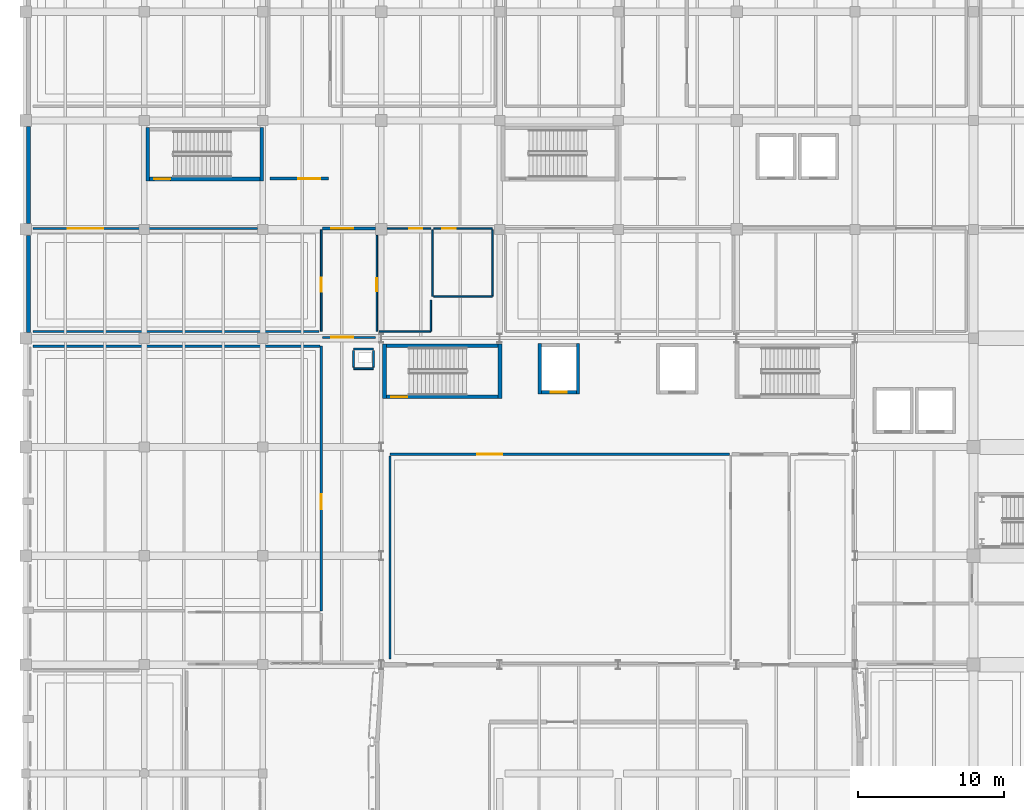
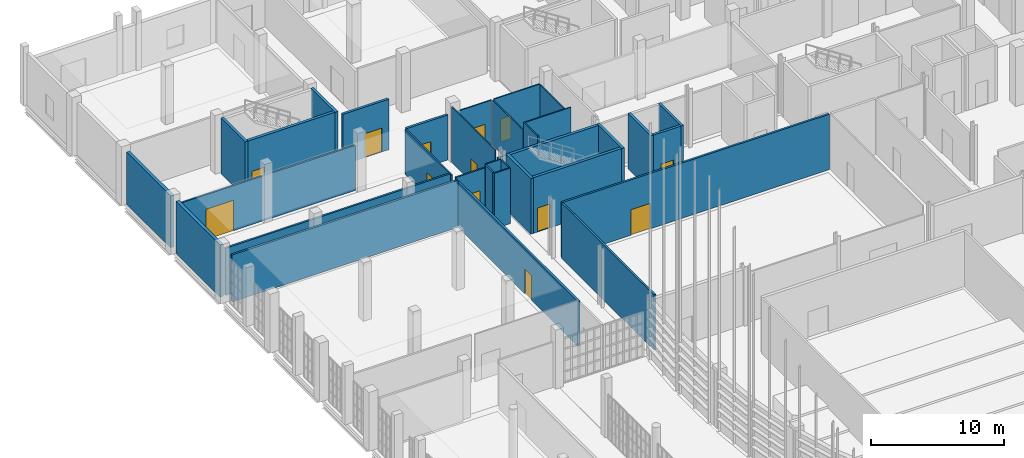
# One storey, part 352 of 372: 34 walls, 13 doors, 13 openings.
"""IFC4 building model written with IfcOpenShell, lengths in metres."""

from ifc_helpers import new_model, si_unit, direction, frame, frame_2d, origin, place, context, subcontext, project, spatial, rectangle, extrude, material, layer, layer_set, type_object, element, fill, save


model = new_model("IFC4")

# Units and contexts
model_context = context("Model", 3, precision=1e-05, world=origin(), true_north=direction((0.0, 1.0)))
body_context = subcontext(model_context, "Body", "Model", "MODEL_VIEW")
ifc_project = project(units=[si_unit("LENGTHUNIT", "METRE"), si_unit("AREAUNIT", "SQUARE_METRE"), si_unit("VOLUMEUNIT", "CUBIC_METRE"), si_unit("PLANEANGLEUNIT", "RADIAN"), si_unit("MASSUNIT", "GRAM", prefix="KILO")], contexts=[model_context])

# Site, building, storey
site_placement = place(None, origin())
site = spatial("IfcSite", under=ifc_project, at=site_placement, CompositionType="ELEMENT")
building_placement = place(site_placement, origin())
building = spatial("IfcBuilding", under=site, at=building_placement, Name="Kaelora Sail Theatre", CompositionType="ELEMENT")
storey_placement = place(building_placement, origin())
storey = spatial("IfcBuildingStorey", under=building, at=storey_placement, Name="L00", CompositionType="ELEMENT", Elevation=0.0)

# Wall, opening, door
ifc_material_1 = material(Name="Concrete C40/50", Category="concrete")
ifc_layer_1 = layer(ifc_material_1, 0.25)
ifc_layer_set_1 = layer_set([ifc_layer_1], Name="Concrete C40/50")
wall_type_1 = type_object("IfcWallType", Name="ARC-WL-CW-250", PredefinedType="SHEAR", material=ifc_layer_set_1)
wall_1_placement = place(storey_placement, frame((26.155029296875, 79.324951171875, 0.0), z_axis=(0.0, 0.0, 1.0), x_axis=(1.0, 0.0, 0.0)))
wall_1 = element("IfcWall", 1, at=wall_1_placement, inside=storey, type_object=wall_type_1, Name="Stair shaft ST-K1 wall L00-S", PredefinedType="SHEAR", context=body_context, shape_type="SweptSolid", body=[
    extrude(rectangle(XDim=7.639892578125, YDim=0.25, at=frame_2d((3.81982421875, 0.0))), origin(), (0.0, 0.0, 1.0), 5.10498046875),
])
opening_1_placement = place(wall_1_placement, frame((0.320068359375, 0.0, 0.0)))
opening_1 = element("IfcOpeningElement", 2, at=opening_1_placement, cuts=wall_1, Name="Opening FD-02", PredefinedType="OPENING", context=body_context, shape_type="SweptSolid", body=[
    extrude(rectangle(XDim=1.10009765625, YDim=2.199951171875, at=frame_2d((0.550048828125, 1.10009765625))), frame((0.0, 0.135, 0.0), z_axis=(0.0, -1.0, 0.0), x_axis=(1.0, 0.0, 0.0)), (0.0, 0.0, 1.0), 0.27),
])
ifc_material_2 = material(Name="Acoustic steel single stair/lobby fire door EI 90-C", Category="steel")
door_type_1 = type_object("IfcDoorType", Name="ARC-DR-FD-02", OperationType="NOTDEFINED", PredefinedType="DOOR", material=ifc_material_2)
door_1_placement = place(opening_1_placement, origin())
door_1 = element("IfcDoor", 3, at=door_1_placement, inside=storey, type_object=door_type_1, Name="Stair ST-K1 door (L00)", OperationType="SINGLE_SWING_RIGHT", OverallHeight=2.199951171875, OverallWidth=1.10009765625, PredefinedType="DOOR", context=body_context, shape_type="SweptSolid", body=[
    extrude(rectangle(XDim=1.10009765625, YDim=2.199951171875, at=frame_2d((0.550048828125, 1.10009765625))), frame((0.0, 0.02490234375, 0.0), z_axis=(0.0, -1.0, 0.0), x_axis=(1.0, 0.0, 0.0)), (0.0, 0.0, 1.0), 0.050048828125),
])
fill(opening_1, door_1)

# Walls
wall_2_placement = place(storey_placement, frame((26.155029296875, 82.824951171875, 0.0), z_axis=(0.0, 0.0, 1.0), x_axis=(1.0, 0.0, 0.0)))
element("IfcWall", 4, at=wall_2_placement, inside=storey, type_object=wall_type_1, Name="Stair shaft ST-K1 wall L00-N", PredefinedType="SHEAR", context=body_context, shape_type="SweptSolid", body=[
    extrude(rectangle(XDim=7.639892578125, YDim=0.25, at=frame_2d((3.81982421875, 0.0))), origin(), (0.0, 0.0, 1.0), 5.10498046875),
])
for number, where, z_axis, x_axis, name in (
    (5, (26.02490234375, 79.199951171875, 0.0), (0.0, 0.0, 1.0), (0.0, 1.0, 0.0), "Stair shaft ST-K1 wall L00-W"),
    (6, (33.925048828125, 79.199951171875, 0.0), (0.0, 0.0, 1.0), (0.0, 1.0, 0.0), "Stair shaft ST-K1 wall L00-E"),
):
    element("IfcWall", number, at=place(storey_placement, frame(where, z_axis=z_axis, x_axis=x_axis)), inside=storey, type_object=wall_type_1, Name=name, PredefinedType="SHEAR", context=body_context, shape_type="SweptSolid", body=[
        extrude(rectangle(XDim=3.75, YDim=0.25, at=frame_2d((1.875, 0.0))), origin(), (0.0, 0.0, 1.0), 5.10498046875),
    ])

# Wall, opening, door
wall_3_placement = place(storey_placement, frame((9.955078125, 94.22509765625, 0.0), z_axis=(0.0, 0.0, 1.0), x_axis=(1.0, 0.0, 0.0)))
wall_3 = element("IfcWall", 7, at=wall_3_placement, inside=storey, type_object=wall_type_1, Name="Stair shaft ST-W1 wall L00-S", PredefinedType="SHEAR", context=body_context, shape_type="SweptSolid", body=[
    extrude(rectangle(XDim=7.5400390625, YDim=0.25, at=frame_2d((3.77001953125, 0.0))), origin(), (0.0, 0.0, 1.0), 5.10498046875),
])
opening_2_placement = place(wall_3_placement, frame((0.320068359375, 0.0, 0.0)))
opening_2 = element("IfcOpeningElement", 8, at=opening_2_placement, cuts=wall_3, Name="Opening FD-02", PredefinedType="OPENING", context=body_context, shape_type="SweptSolid", body=[
    extrude(rectangle(XDim=1.10009765625, YDim=2.199951171875, at=frame_2d((0.550048828125, 1.10009765625))), frame((0.0, 0.135, 0.0), z_axis=(0.0, -1.0, 0.0), x_axis=(1.0, 0.0, 0.0)), (0.0, 0.0, 1.0), 0.27),
])
door_2_placement = place(opening_2_placement, origin())
door_2 = element("IfcDoor", 9, at=door_2_placement, inside=storey, type_object=door_type_1, Name="Stair ST-W1 door (L00)", OperationType="SINGLE_SWING_RIGHT", OverallHeight=2.199951171875, OverallWidth=1.10009765625, PredefinedType="DOOR", context=body_context, shape_type="SweptSolid", body=[
    extrude(rectangle(XDim=1.10009765625, YDim=2.199951171875, at=frame_2d((0.550048828125, 1.10009765625))), frame((0.0, 0.02490234375, 0.0), z_axis=(0.0, -1.0, 0.0), x_axis=(1.0, 0.0, 0.0)), (0.0, 0.0, 1.0), 0.050048828125),
])
fill(opening_2, door_2)

# Walls
for number, where, z_axis, x_axis, name in (
    (10, (9.824951171875, 94.10009765625, 0.0), (0.0, 0.0, 1.0), (0.0, 1.0, 0.0), "Stair shaft ST-W1 wall L00-W"),
    (11, (17.625, 94.10009765625, 0.0), (0.0, 0.0, 1.0), (0.0, 1.0, 0.0), "Stair shaft ST-W1 wall L00-E"),
):
    element("IfcWall", number, at=place(storey_placement, frame(where, z_axis=z_axis, x_axis=x_axis)), inside=storey, type_object=wall_type_1, Name=name, PredefinedType="SHEAR", context=body_context, shape_type="SweptSolid", body=[
        extrude(rectangle(XDim=3.64990234375, YDim=0.25, at=frame_2d((1.824951171875, 0.0))), origin(), (0.0, 0.0, 1.0), 5.10498046875),
    ])
ifc_material_3 = material(Name="Precast concrete C45/55", Category="concrete")
ifc_layer_2 = layer(ifc_material_3, 0.280029296875)
ifc_layer_set_2 = layer_set([ifc_layer_2], Name="Precast concrete C45/55")
wall_type_2 = type_object("IfcWallType", Name="ARC-WL-EW-280", PredefinedType="SOLIDWALL", material=ifc_layer_set_2)
for number, where, z_axis, x_axis, name in (
    (12, (1.679931640625, 83.7451171875, 0.0), (0.0, 0.0, 1.0), (0.0, 1.0, 0.0), "Stepped Wing Facade Wall WWAL-NW1-L00-S1"),
    (13, (1.679931640625, 91.18505859375, 0.0), (0.0, 0.0, 1.0), (0.0, 1.0, 0.0), "Stepped Wing Facade Wall WWAL-NW1-L00-S2"),
):
    element("IfcWall", number, at=place(storey_placement, frame(where, z_axis=z_axis, x_axis=x_axis)), inside=storey, type_object=wall_type_2, Name=name, PredefinedType="SOLIDWALL", context=body_context, shape_type="SweptSolid", body=[
        extrude(rectangle(XDim=6.6298828125, YDim=0.280029296875, at=frame_2d((3.31494140625, 0.0))), origin(), (0.0, 0.0, 1.0), 4.787109375),
    ])

# Wall, opening, door
ifc_material_4 = material(Name="Sanitary moisture-resistant partition 100 mm", Category="gypsum")
ifc_layer_3 = layer(ifc_material_4, 0.10009765625)
ifc_layer_set_3 = layer_set([ifc_layer_3], Name="Sanitary moisture-resistant partition 100 mm")
wall_type_3 = type_object("IfcWallType", Name="ARC-WL-PT-100", PredefinedType="PARTITIONING", material=ifc_layer_set_3)
wall_4_placement = place(storey_placement, frame((25.5, 83.800048828125, 0.0), z_axis=(0.0, 0.0, 1.0), x_axis=(0.0, 1.0, 0.0)))
wall_4 = element("IfcWall", 14, at=wall_4_placement, inside=storey, type_object=wall_type_3, Name="Interior acoustic partition L00-COR-NLINKW/L00-WC-BOH", PredefinedType="PARTITIONING", context=body_context, shape_type="SweptSolid", body=[
    extrude(rectangle(XDim=6.574951171875, YDim=0.10009765625, at=frame_2d((3.28759765625, 0.0))), origin(), (0.0, 0.0, 1.0), 5.0849609375),
])
opening_3_placement = place(wall_4_placement, frame((2.739013671875, 0.0, 0.0)))
opening_3 = element("IfcOpeningElement", 15, at=opening_3_placement, cuts=wall_4, Name="Opening ID-03", PredefinedType="OPENING", context=body_context, shape_type="SweptSolid", body=[
    extrude(rectangle(XDim=0.89990234375, YDim=2.10009765625, at=frame_2d((0.449951171875, 1.050048828125))), frame((0.0, 0.060049, 0.0), z_axis=(0.0, -1.0, 0.0), x_axis=(1.0, 0.0, 0.0)), (0.0, 0.0, 1.0), 0.120098),
])
ifc_material_5 = material(Name="Accessible sanitary laminate door", Category="timber")
door_type_2 = type_object("IfcDoorType", Name="ARC-DR-ID-03", OperationType="NOTDEFINED", PredefinedType="DOOR", material=ifc_material_5)
door_3_placement = place(opening_3_placement, origin())
door_3 = element("IfcDoor", 16, at=door_3_placement, inside=storey, type_object=door_type_2, Name="Interior door L00-COR-NLINKW to L00-WC-BOH", OperationType="SINGLE_SWING_RIGHT", OverallHeight=2.10009765625, OverallWidth=0.89990234375, PredefinedType="DOOR", context=body_context, shape_type="SweptSolid", body=[
    extrude(rectangle(XDim=0.89990234375, YDim=2.10009765625, at=frame_2d((0.449951171875, 1.050048828125))), frame((0.0, 0.02490234375, 0.0), z_axis=(0.0, -1.0, 0.0), x_axis=(1.0, 0.0, 0.0)), (0.0, 0.0, 1.0), 0.050048828125),
])
fill(opening_3, door_3)

wall_5_placement = place(storey_placement, frame((26.205078125, 90.85009765625, 0.0), z_axis=(0.0, 0.0, 1.0), x_axis=(1.0, 0.0, 0.0)))
wall_5 = element("IfcWall", 17, at=wall_5_placement, inside=storey, type_object=wall_type_3, Name="Interior acoustic partition L00-COR-BOH/L00-WC-BOH", PredefinedType="PARTITIONING", context=body_context, shape_type="SweptSolid", body=[
    extrude(rectangle(XDim=2.994873046875, YDim=0.10009765625, at=frame_2d((1.49755859375, 0.0))), origin(), (0.0, 0.0, 1.0), 4.136962890625),
])
opening_4_placement = place(wall_5_placement, frame((1.514892578125, 0.0, 0.0)))
opening_4 = element("IfcOpeningElement", 18, at=opening_4_placement, cuts=wall_5, Name="Opening ID-03", PredefinedType="OPENING", context=body_context, shape_type="SweptSolid", body=[
    extrude(rectangle(XDim=0.89990234375, YDim=2.10009765625, at=frame_2d((0.449951171875, 1.050048828125))), frame((0.0, 0.060049, 0.0), z_axis=(0.0, -1.0, 0.0), x_axis=(1.0, 0.0, 0.0)), (0.0, 0.0, 1.0), 0.120098),
])
door_4_placement = place(opening_4_placement, origin())
door_4 = element("IfcDoor", 19, at=door_4_placement, inside=storey, type_object=door_type_2, Name="Interior door L00-COR-BOH to L00-WC-BOH", OperationType="SINGLE_SWING_LEFT", OverallHeight=2.10009765625, OverallWidth=0.89990234375, PredefinedType="DOOR", context=body_context, shape_type="SweptSolid", body=[
    extrude(rectangle(XDim=0.89990234375, YDim=2.10009765625, at=frame_2d((0.449951171875, 1.050048828125))), frame((0.0, 0.02490234375, 0.0), z_axis=(0.0, -1.0, 0.0), x_axis=(1.0, 0.0, 0.0)), (0.0, 0.0, 1.0), 0.050048828125),
])
fill(opening_4, door_4)

wall_6_placement = place(storey_placement, frame((29.39990234375, 90.85009765625, 0.0), z_axis=(0.0, 0.0, 1.0), x_axis=(1.0, 0.0, 0.0)))
wall_6 = element("IfcWall", 20, at=wall_6_placement, inside=storey, type_object=wall_type_3, Name="Interior acoustic partition L00-COR-BOH/L00-WC-BOHACC", PredefinedType="PARTITIONING", context=body_context, shape_type="SweptSolid", body=[
    extrude(rectangle(XDim=4.0, YDim=0.10009765625, at=frame_2d((2.0, 0.0))), origin(), (0.0, 0.0, 1.0), 4.136962890625),
])
opening_5_placement = place(wall_6_placement, frame((0.580078125, 0.0, 0.0)))
opening_5 = element("IfcOpeningElement", 21, at=opening_5_placement, cuts=wall_6, Name="Opening ID-03", PredefinedType="OPENING", context=body_context, shape_type="SweptSolid", body=[
    extrude(rectangle(XDim=0.89990234375, YDim=2.10009765625, at=frame_2d((0.449951171875, 1.050048828125))), frame((0.0, 0.060049, 0.0), z_axis=(0.0, -1.0, 0.0), x_axis=(1.0, 0.0, 0.0)), (0.0, 0.0, 1.0), 0.120098),
])
door_5_placement = place(opening_5_placement, origin())
door_5 = element("IfcDoor", 22, at=door_5_placement, inside=storey, type_object=door_type_2, Name="Interior door L00-COR-BOH to L00-WC-BOHACC", OperationType="SINGLE_SWING_LEFT", OverallHeight=2.10009765625, OverallWidth=0.89990234375, PredefinedType="DOOR", context=body_context, shape_type="SweptSolid", body=[
    extrude(rectangle(XDim=0.89990234375, YDim=2.10009765625, at=frame_2d((0.449951171875, 1.050048828125))), frame((0.0, 0.02490234375, 0.0), z_axis=(0.0, -1.0, 0.0), x_axis=(1.0, 0.0, 0.0)), (0.0, 0.0, 1.0), 0.050048828125),
])
fill(opening_5, door_5)

# Walls
wall_7_placement = place(storey_placement, frame((29.300048828125, 86.199951171875, 0.0), z_axis=(0.0, 0.0, 1.0), x_axis=(0.0, 1.0, 0.0)))
element("IfcWall", 23, at=wall_7_placement, inside=storey, type_object=wall_type_3, Name="Interior acoustic partition L00-WC-BOH/L00-WC-BOHACC", PredefinedType="PARTITIONING", context=body_context, shape_type="SweptSolid", body=[
    extrude(rectangle(XDim=4.550048828125, YDim=0.10009765625, at=frame_2d((2.27490234375, 0.0))), origin(), (0.0, 0.0, 1.0), 4.136962890625),
])
wall_8_placement = place(storey_placement, frame((25.64990234375, 83.800048828125, 0.0), z_axis=(0.0, 0.0, 1.0), x_axis=(1.0, 0.0, 0.0)))
element("IfcWall", 24, at=wall_8_placement, inside=storey, type_object=wall_type_3, Name="Room enclosure wall L00-WC-BOH-S1", PredefinedType="PARTITIONING", context=body_context, shape_type="SweptSolid", body=[
    extrude(rectangle(XDim=3.550048828125, YDim=0.10009765625, at=frame_2d((1.77490234375, 0.0))), origin(), (0.0, 0.0, 1.0), 4.3369140625),
])
wall_9_placement = place(storey_placement, frame((29.199951171875, 83.800048828125, 0.0), z_axis=(0.0, 0.0, 1.0), x_axis=(0.0, 1.0, 0.0)))
element("IfcWall", 25, at=wall_9_placement, inside=storey, type_object=wall_type_3, Name="Room enclosure wall L00-WC-BOH-E1", PredefinedType="PARTITIONING", context=body_context, shape_type="SweptSolid", body=[
    extrude(rectangle(XDim=2.14990234375, YDim=0.10009765625, at=frame_2d((1.074951171875, 0.0))), origin(), (0.0, 0.0, 1.0), 5.0849609375),
])
wall_10_placement = place(storey_placement, frame((29.39990234375, 86.199951171875, 0.0), z_axis=(0.0, 0.0, 1.0), x_axis=(1.0, 0.0, 0.0)))
element("IfcWall", 26, at=wall_10_placement, inside=storey, type_object=wall_type_3, Name="Room enclosure wall L00-WC-BOHACC-S1", PredefinedType="PARTITIONING", context=body_context, shape_type="SweptSolid", body=[
    extrude(rectangle(XDim=4.0, YDim=0.10009765625, at=frame_2d((2.0, 0.0))), origin(), (0.0, 0.0, 1.0), 4.81689453125),
])
wall_11_placement = place(storey_placement, frame((33.39990234375, 86.199951171875, 0.0), z_axis=(0.0, 0.0, 1.0), x_axis=(0.0, 1.0, 0.0)))
element("IfcWall", 27, at=wall_11_placement, inside=storey, type_object=wall_type_3, Name="Room enclosure wall L00-WC-BOHACC-E1", PredefinedType="PARTITIONING", context=body_context, shape_type="SweptSolid", body=[
    extrude(rectangle(XDim=4.550048828125, YDim=0.10009765625, at=frame_2d((2.27490234375, 0.0))), origin(), (0.0, 0.0, 1.0), 4.136962890625),
])
ifc_material_6 = material(Name="Standard metal-stud partition 120 mm", Category="gypsum")
ifc_layer_4 = layer(ifc_material_6, 0.1201171875)
ifc_layer_set_4 = layer_set([ifc_layer_4], Name="Standard metal-stud partition 120 mm")
wall_type_4 = type_object("IfcWallType", Name="ARC-WL-PT-120", PredefinedType="PARTITIONING", material=ifc_layer_set_4)
for number, where, z_axis, x_axis, name in (
    (28, (23.905029296875, 81.2451171875, 0.0), (0.0, 0.0, 1.0), (1.0, 0.0, 0.0), "MEP riser shaft wall FW1-L00-S"),
    (29, (23.905029296875, 82.60498046875, 0.0), (0.0, 0.0, 1.0), (1.0, 0.0, 0.0), "MEP riser shaft wall FW1-L00-N"),
):
    element("IfcWall", number, at=place(storey_placement, frame(where, z_axis=z_axis, x_axis=x_axis)), inside=storey, type_object=wall_type_4, Name=name, PredefinedType="PARTITIONING", context=body_context, shape_type="SweptSolid", body=[
        extrude(rectangle(XDim=1.35986328125, YDim=0.1201171875, at=frame_2d((0.679931640625, 0.0))), origin(), (0.0, 0.0, 1.0), 5.0849609375),
    ])
for number, where, z_axis, x_axis, name in (
    (30, (23.905029296875, 81.364990234375, 0.0), (0.0, 0.0, 1.0), (0.0, 1.0, 0.0), "MEP riser shaft wall FW1-L00-W"),
    (31, (25.264892578125, 81.364990234375, 0.0), (0.0, 0.0, 1.0), (0.0, 1.0, 0.0), "MEP riser shaft wall FW1-L00-E"),
):
    element("IfcWall", number, at=place(storey_placement, frame(where, z_axis=z_axis, x_axis=x_axis)), inside=storey, type_object=wall_type_4, Name=name, PredefinedType="PARTITIONING", context=body_context, shape_type="SweptSolid", body=[
        extrude(rectangle(XDim=1.1201171875, YDim=0.1201171875, at=frame_2d((0.56005859375, 0.0))), origin(), (0.0, 0.0, 1.0), 5.0849609375),
    ])

# Wall, opening, door
wall_12_placement = place(storey_placement, frame((21.699951171875, 83.800048828125, 0.0), z_axis=(0.0, 0.0, 1.0), x_axis=(0.0, 1.0, 0.0)))
wall_12 = element("IfcWall", 32, at=wall_12_placement, inside=storey, type_object=wall_type_4, Name="Interior acoustic partition L00-COR-NLINKW/L00-GREEN", PredefinedType="PARTITIONING", context=body_context, shape_type="SweptSolid", body=[
    extrude(rectangle(XDim=6.949951171875, YDim=0.1201171875, at=frame_2d((3.47509765625, 0.0))), origin(), (0.0, 0.0, 1.0), 4.136962890625),
])
opening_6_placement = place(wall_12_placement, frame((2.7099609375, 0.0, 0.0)))
opening_6 = element("IfcOpeningElement", 33, at=opening_6_placement, cuts=wall_12, Name="Opening ID-02", PredefinedType="OPENING", context=body_context, shape_type="SweptSolid", body=[
    extrude(rectangle(XDim=0.949951171875, YDim=2.14990234375, at=frame_2d((0.47509765625, 1.074951171875))), frame((0.0, 0.070059, 0.0), z_axis=(0.0, -1.0, 0.0), x_axis=(1.0, 0.0, 0.0)), (0.0, 0.0, 1.0), 0.140117),
])
ifc_material_7 = material(Name="Timber dressing and office single door", Category="wood")
door_type_3 = type_object("IfcDoorType", Name="ARC-DR-ID-02", OperationType="NOTDEFINED", PredefinedType="DOOR", material=ifc_material_7)
door_6_placement = place(opening_6_placement, origin())
door_6 = element("IfcDoor", 34, at=door_6_placement, inside=storey, type_object=door_type_3, Name="Interior door L00-COR-NLINKW to L00-GREEN", OperationType="SINGLE_SWING_LEFT", OverallHeight=2.14990234375, OverallWidth=0.949951171875, PredefinedType="DOOR", context=body_context, shape_type="SweptSolid", body=[
    extrude(rectangle(XDim=0.949951171875, YDim=2.14990234375, at=frame_2d((0.47509765625, 1.074951171875))), frame((0.0, 0.02490234375, 0.0), z_axis=(0.0, -1.0, 0.0), x_axis=(1.0, 0.0, 0.0)), (0.0, 0.0, 1.0), 0.050048828125),
])
fill(opening_6, door_6)

ifc_material_8 = material(Name="Dressing room acoustic partition 130 mm", Category="gypsum")
ifc_layer_5 = layer(ifc_material_8, 0.1298828125)
ifc_layer_set_5 = layer_set([ifc_layer_5], Name="Dressing room acoustic partition 130 mm")
wall_type_5 = type_object("IfcWallType", Name="ARC-WL-PT-130", PredefinedType="PARTITIONING", material=ifc_layer_set_5)
wall_13_placement = place(storey_placement, frame((21.800048828125, 83.39990234375, 0.0), z_axis=(0.0, 0.0, 1.0), x_axis=(1.0, 0.0, 0.0)))
wall_13 = element("IfcWall", 35, at=wall_13_placement, inside=storey, type_object=wall_type_5, Name="Interior acoustic partition L00-COR-WEST/L00-COR-NLINKW", PredefinedType="PARTITIONING", context=body_context, shape_type="SweptSolid", body=[
    extrude(rectangle(XDim=3.599853515625, YDim=0.1298828125, at=frame_2d((1.7998046875, 0.0))), origin(), (0.0, 0.0, 1.0), 4.136962890625),
])
opening_7_placement = place(wall_13_placement, frame((0.580078125, 0.0, 0.0)))
opening_7 = element("IfcOpeningElement", 36, at=opening_7_placement, cuts=wall_13, Name="Opening FD-01", PredefinedType="OPENING", context=body_context, shape_type="SweptSolid", body=[
    extrude(rectangle(XDim=1.5, YDim=2.199951171875, at=frame_2d((0.75, 1.10009765625))), frame((0.0, 0.074941, 0.0), z_axis=(0.0, -1.0, 0.0), x_axis=(1.0, 0.0, 0.0)), (0.0, 0.0, 1.0), 0.149883),
])
ifc_material_9 = material(Name="Acoustic steel double fire door EI 90-C", Category="steel")
door_type_4 = type_object("IfcDoorType", Name="ARC-DR-FD-01", OperationType="NOTDEFINED", PredefinedType="DOOR", material=ifc_material_9)
door_7_placement = place(opening_7_placement, origin())
door_7 = element("IfcDoor", 37, at=door_7_placement, inside=storey, type_object=door_type_4, Name="Interior door L00-COR-WEST to L00-COR-NLINKW", OperationType="DOUBLE_DOOR_SINGLE_SWING", OverallHeight=2.199951171875, OverallWidth=1.5, PredefinedType="DOOR", context=body_context, shape_type="SweptSolid", body=[
    extrude(rectangle(XDim=1.5, YDim=2.199951171875, at=frame_2d((0.75, 1.10009765625))), frame((0.0, 0.02490234375, 0.0), z_axis=(0.0, -1.0, 0.0), x_axis=(1.0, 0.0, 0.0)), (0.0, 0.0, 1.0), 0.050048828125),
])
fill(opening_7, door_7)

ifc_material_10 = material(Name="Fire-rated stud partition 140 mm", Category="gypsum")
ifc_layer_6 = layer(ifc_material_10, 0.139892578125)
ifc_layer_set_6 = layer_set([ifc_layer_6], Name="Fire-rated stud partition 140 mm")
wall_type_6 = type_object("IfcWallType", Name="ARC-WL-PT-140", PredefinedType="PARTITIONING", material=ifc_layer_set_6)
wall_14_placement = place(storey_placement, frame((2.0, 90.85009765625, 0.0), z_axis=(0.0, 0.0, 1.0), x_axis=(1.0, 0.0, 0.0)))
wall_14 = element("IfcWall", 38, at=wall_14_placement, inside=storey, type_object=wall_type_6, Name="Interior acoustic partition L00-COR-BOH/L00-GREEN", PredefinedType="PARTITIONING", context=body_context, shape_type="SweptSolid", body=[
    extrude(rectangle(XDim=15.344970703125, YDim=0.139892578125, at=frame_2d((7.67236328125, 0.0))), origin(), (0.0, 0.0, 1.0), 4.136962890625),
])
opening_8_placement = place(wall_14_placement, frame((2.3779296875, 0.0, 0.0)))
opening_8 = element("IfcOpeningElement", 39, at=opening_8_placement, cuts=wall_14, Name="Opening ID-05", PredefinedType="OPENING", context=body_context, shape_type="SweptSolid", body=[
    extrude(rectangle(XDim=2.39990234375, YDim=2.800048828125, at=frame_2d((1.199951171875, 1.39990234375))), frame((0.0, 0.079824, 0.0), z_axis=(0.0, -1.0, 0.0), x_axis=(1.0, 0.0, 0.0)), (0.0, 0.0, 1.0), 0.159893),
])
ifc_material_11 = material(Name="Scenery workshop oversize acoustic double door", Category="steel")
door_type_5 = type_object("IfcDoorType", Name="ARC-DR-ID-05", OperationType="NOTDEFINED", PredefinedType="DOOR", material=ifc_material_11)
door_8_placement = place(opening_8_placement, origin())
door_8 = element("IfcDoor", 40, at=door_8_placement, inside=storey, type_object=door_type_5, Name="Interior door L00-COR-BOH to L00-GREEN", OperationType="DOUBLE_DOOR_SINGLE_SWING", OverallHeight=2.800048828125, OverallWidth=2.39990234375, PredefinedType="DOOR", context=body_context, shape_type="SweptSolid", body=[
    extrude(rectangle(XDim=2.39990234375, YDim=2.800048828125, at=frame_2d((1.199951171875, 1.39990234375))), frame((0.0, 0.02490234375, 0.0), z_axis=(0.0, -1.0, 0.0), x_axis=(1.0, 0.0, 0.0)), (0.0, 0.0, 1.0), 0.050048828125),
])
fill(opening_8, door_8)

# Walls
ifc_material_12 = material(Name="Acoustic metal-stud plasterboard 160 mm", Category="gypsum")
ifc_layer_7 = layer(ifc_material_12, 0.159912109375)
ifc_layer_set_7 = layer_set([ifc_layer_7], Name="Acoustic metal-stud plasterboard 160 mm")
wall_type_7 = type_object("IfcWallType", Name="ARC-WL-PT-160", PredefinedType="PARTITIONING", material=ifc_layer_set_7)
wall_15_placement = place(storey_placement, frame((26.39990234375, 61.39990234375, 0.0), z_axis=(0.0, 0.0, 1.0), x_axis=(0.0, 1.0, 0.0)))
element("IfcWall", 41, at=wall_15_placement, inside=storey, type_object=wall_type_7, Name="Room enclosure wall L00-STAGE-MAIN-W1", PredefinedType="PARTITIONING", context=body_context, shape_type="SweptSolid", body=[
    extrude(rectangle(XDim=13.900146484375, YDim=0.159912109375, at=frame_2d((6.9501953125, 0.0))), origin(), (0.0, 0.0, 1.0), 5.0849609375),
])
wall_16_placement = place(storey_placement, frame((2.0, 82.800048828125, 0.0), z_axis=(0.0, 0.0, 1.0), x_axis=(1.0, 0.0, 0.0)))
element("IfcWall", 42, at=wall_16_placement, inside=storey, type_object=wall_type_7, Name="Room enclosure wall L00-CAFE-WEST-N1", PredefinedType="PARTITIONING", context=body_context, shape_type="SweptSolid", body=[
    extrude(rectangle(XDim=19.60009765625, YDim=0.159912109375, at=frame_2d((9.800048828125, 0.0))), origin(), (0.0, 0.0, 1.0), 4.3369140625),
])
wall_17_placement = place(storey_placement, frame((2.0, 83.800048828125, 0.0), z_axis=(0.0, 0.0, 1.0), x_axis=(1.0, 0.0, 0.0)))
element("IfcWall", 43, at=wall_17_placement, inside=storey, type_object=wall_type_7, Name="Room enclosure wall L00-GREEN-S1", PredefinedType="PARTITIONING", context=body_context, shape_type="SweptSolid", body=[
    extrude(rectangle(XDim=19.550048828125, YDim=0.159912109375, at=frame_2d((9.77490234375, 0.0))), origin(), (0.0, 0.0, 1.0), 4.3369140625),
])

# Wall, opening, door
ifc_material_13 = material(Name="Workshop acoustic stud partition 170 mm", Category="gypsum")
ifc_layer_8 = layer(ifc_material_13, 0.169921875)
ifc_layer_set_8 = layer_set([ifc_layer_8], Name="Workshop acoustic stud partition 170 mm")
wall_type_8 = type_object("IfcWallType", Name="ARC-WL-PT-170", PredefinedType="PARTITIONING", material=ifc_layer_set_8)
wall_18_placement = place(storey_placement, frame((49.60009765625, 75.39990234375, 0.0), z_axis=(0.0, 0.0, 1.0), x_axis=(-1.0, 0.0, 0.0)))
wall_18 = element("IfcWall", 44, at=wall_18_placement, inside=storey, type_object=wall_type_8, Name="Interior acoustic partition L00-STAGE-MAIN/L00-COR-FLY", PredefinedType="PARTITIONING", context=body_context, shape_type="SweptSolid", body=[
    extrude(rectangle(XDim=23.2001953125, YDim=0.169921875, at=frame_2d((11.60009765625, 0.0))), origin(), (0.0, 0.0, 1.0), 5.0849609375),
])
opening_9_placement = place(wall_18_placement, frame((15.535888671875, 0.0, 0.0)))
opening_9 = element("IfcOpeningElement", 45, at=opening_9_placement, cuts=wall_18, Name="Opening ID-09", PredefinedType="OPENING", context=body_context, shape_type="SweptSolid", body=[
    extrude(rectangle(XDim=1.699951171875, YDim=2.35009765625, at=frame_2d((0.85009765625, 1.175048828125))), frame((0.0, 0.094961, 0.0), z_axis=(0.0, -1.0, 0.0), x_axis=(1.0, 0.0, 0.0)), (0.0, 0.0, 1.0), 0.189922),
])
ifc_material_14 = material(Name="Ballet studio acoustic double door", Category="steel")
door_type_6 = type_object("IfcDoorType", Name="ARC-DR-ID-09", OperationType="NOTDEFINED", PredefinedType="DOOR", material=ifc_material_14)
door_9_placement = place(opening_9_placement, origin())
door_9 = element("IfcDoor", 46, at=door_9_placement, inside=storey, type_object=door_type_6, Name="Interior door L00-STAGE-MAIN to L00-COR-FLY", OperationType="DOUBLE_DOOR_SINGLE_SWING", OverallHeight=2.35009765625, OverallWidth=1.699951171875, PredefinedType="DOOR", context=body_context, shape_type="SweptSolid", body=[
    extrude(rectangle(XDim=1.699951171875, YDim=2.35009765625, at=frame_2d((0.85009765625, 1.175048828125))), frame((0.0, 0.02490234375, 0.0), z_axis=(0.0, -1.0, 0.0), x_axis=(1.0, 0.0, 0.0)), (0.0, 0.0, 1.0), 0.050048828125),
])
fill(opening_9, door_9)

ifc_material_15 = material(Name="Rehearsal double-stud partition 185 mm", Category="gypsum")
ifc_layer_9 = layer(ifc_material_15, 0.18505859375)
ifc_layer_set_9 = layer_set([ifc_layer_9], Name="Rehearsal double-stud partition 185 mm")
wall_type_9 = type_object("IfcWallType", Name="ARC-WL-PT-185", PredefinedType="PARTITIONING", material=ifc_layer_set_9)
wall_19_placement = place(storey_placement, frame((21.699951171875, 64.699951171875, 0.0), z_axis=(0.0, 0.0, 1.0), x_axis=(0.0, 1.0, 0.0)))
wall_19 = element("IfcWall", 47, at=wall_19_placement, inside=storey, type_object=wall_type_9, Name="Interior acoustic partition L00-CAFE-WEST/L00-COR-WEST", PredefinedType="PARTITIONING", context=body_context, shape_type="SweptSolid", body=[
    extrude(rectangle(XDim=18.10009765625, YDim=0.18505859375, at=frame_2d((9.050048828125, 0.0))), origin(), (0.0, 0.0, 1.0), 4.136962890625),
])
opening_10_placement = place(wall_19_placement, frame((6.93603515625, 0.0, 0.0)))
opening_10 = element("IfcOpeningElement", 48, at=opening_10_placement, cuts=wall_19, Name="Opening ID-06", PredefinedType="OPENING", context=body_context, shape_type="SweptSolid", body=[
    extrude(rectangle(XDim=1.050048828125, YDim=2.25, at=frame_2d((0.52490234375, 1.125))), frame((0.0, 0.102529, 0.0), z_axis=(0.0, -1.0, 0.0), x_axis=(1.0, 0.0, 0.0)), (0.0, 0.0, 1.0), 0.205059),
])
ifc_material_16 = material(Name="Soloist dressing acoustic timber door", Category="wood")
door_type_7 = type_object("IfcDoorType", Name="ARC-DR-ID-06", OperationType="NOTDEFINED", PredefinedType="DOOR", material=ifc_material_16)
door_10_placement = place(opening_10_placement, origin())
door_10 = element("IfcDoor", 49, at=door_10_placement, inside=storey, type_object=door_type_7, Name="Interior door L00-CAFE-WEST to L00-COR-WEST", OperationType="SINGLE_SWING_LEFT", OverallHeight=2.25, OverallWidth=1.050048828125, PredefinedType="DOOR", context=body_context, shape_type="SweptSolid", body=[
    extrude(rectangle(XDim=1.050048828125, YDim=2.25, at=frame_2d((0.52490234375, 1.125))), frame((0.0, 0.02490234375, 0.0), z_axis=(0.0, -1.0, 0.0), x_axis=(1.0, 0.0, 0.0)), (0.0, 0.0, 1.0), 0.050048828125),
])
fill(opening_10, door_10)

ifc_material_17 = material(Name="Acoustic double-stud plasterboard 200 mm", Category="gypsum")
ifc_layer_10 = layer(ifc_material_17, 0.199951171875)
ifc_layer_set_10 = layer_set([ifc_layer_10], Name="Acoustic double-stud plasterboard 200 mm")
wall_type_10 = type_object("IfcWallType", Name="ARC-WL-PT-200", PredefinedType="PARTITIONING", material=ifc_layer_set_10)
wall_20_placement = place(storey_placement, frame((21.800048828125, 90.85009765625, 0.0), z_axis=(0.0, 0.0, 1.0), x_axis=(1.0, 0.0, 0.0)))
wall_20 = element("IfcWall", 50, at=wall_20_placement, inside=storey, type_object=wall_type_10, Name="Interior acoustic partition L00-COR-NLINKW/L00-COR-BOH", PredefinedType="PARTITIONING", context=body_context, shape_type="SweptSolid", body=[
    extrude(rectangle(XDim=3.594970703125, YDim=0.199951171875, at=frame_2d((1.79736328125, 0.0))), origin(), (0.0, 0.0, 1.0), 4.136962890625),
])
opening_11_placement = place(wall_20_placement, frame((0.580078125, 0.0, 0.0)))
opening_11 = element("IfcOpeningElement", 51, at=opening_11_placement, cuts=wall_20, Name="Opening FD-01", PredefinedType="OPENING", context=body_context, shape_type="SweptSolid", body=[
    extrude(rectangle(XDim=1.5, YDim=2.199951171875, at=frame_2d((0.75, 1.10009765625))), frame((0.0, 0.110098, 0.0), z_axis=(0.0, -1.0, 0.0), x_axis=(1.0, 0.0, 0.0)), (0.0, 0.0, 1.0), 0.219951),
])
door_11_placement = place(opening_11_placement, origin())
door_11 = element("IfcDoor", 52, at=door_11_placement, inside=storey, type_object=door_type_4, Name="Interior door L00-COR-NLINKW to L00-COR-BOH", OperationType="DOUBLE_DOOR_SINGLE_SWING", OverallHeight=2.199951171875, OverallWidth=1.5, PredefinedType="DOOR", context=body_context, shape_type="SweptSolid", body=[
    extrude(rectangle(XDim=1.5, YDim=2.199951171875, at=frame_2d((0.75, 1.10009765625))), frame((0.0, 0.02490234375, 0.0), z_axis=(0.0, -1.0, 0.0), x_axis=(1.0, 0.0, 0.0)), (0.0, 0.0, 1.0), 0.050048828125),
])
fill(opening_11, door_11)

ifc_material_18 = material(Name="Studio box-in-box acoustic partition 215 mm", Category="gypsum")
ifc_layer_11 = layer(ifc_material_18, 0.215087890625)
ifc_layer_set_11 = layer_set([ifc_layer_11], Name="Studio box-in-box acoustic partition 215 mm")
wall_type_11 = type_object("IfcWallType", Name="ARC-WL-PT-215", PredefinedType="PARTITIONING", material=ifc_layer_set_11)
wall_21_placement = place(storey_placement, frame((18.199951171875, 94.25, 0.0), z_axis=(0.0, 0.0, 1.0), x_axis=(1.0, 0.0, 0.0)))
wall_21 = element("IfcWall", 53, at=wall_21_placement, inside=storey, type_object=wall_type_11, Name="Interior acoustic partition L00-COR-BOH/L00-COR-SP1", PredefinedType="PARTITIONING", context=body_context, shape_type="SweptSolid", body=[
    extrude(rectangle(XDim=4.0, YDim=0.215087890625, at=frame_2d((2.0, 0.0))), origin(), (0.0, 0.0, 1.0), 4.636962890625),
])
opening_12_placement = place(wall_21_placement, frame((1.919921875, 0.0, 0.0)))
opening_12 = element("IfcOpeningElement", 54, at=opening_12_placement, cuts=wall_21, Name="Opening FD-01", PredefinedType="OPENING", context=body_context, shape_type="SweptSolid", body=[
    extrude(rectangle(XDim=1.5, YDim=2.199951171875, at=frame_2d((0.75, 1.10009765625))), frame((0.0, 0.117422, 0.0), z_axis=(0.0, -1.0, 0.0), x_axis=(1.0, 0.0, 0.0)), (0.0, 0.0, 1.0), 0.235088),
])
door_12_placement = place(opening_12_placement, origin())
door_12 = element("IfcDoor", 55, at=door_12_placement, inside=storey, type_object=door_type_4, Name="Interior door L00-COR-BOH to L00-COR-SP1", OperationType="DOUBLE_DOOR_SINGLE_SWING", OverallHeight=2.199951171875, OverallWidth=1.5, PredefinedType="DOOR", context=body_context, shape_type="SweptSolid", body=[
    extrude(rectangle(XDim=1.5, YDim=2.199951171875, at=frame_2d((0.75, 1.10009765625))), frame((0.0, 0.02490234375, 0.0), z_axis=(0.0, -1.0, 0.0), x_axis=(1.0, 0.0, 0.0)), (0.0, 0.0, 1.0), 0.050048828125),
])
fill(opening_12, door_12)

ifc_material_19 = material(Name="Concrete C40/50", Category="concrete")
ifc_layer_12 = layer(ifc_material_19, 0.219970703125)
ifc_layer_set_12 = layer_set([ifc_layer_12], Name="Concrete C40/50")
wall_type_12 = type_object("IfcWallType", Name="ARC-WL-SW-220", PredefinedType="SOLIDWALL", material=ifc_layer_set_12)
wall_22_placement = place(storey_placement, frame((36.75, 79.639892578125, 0.0), z_axis=(0.0, 0.0, 1.0), x_axis=(1.0, 0.0, 0.0)))
wall_22 = element("IfcWall", 56, at=wall_22_placement, inside=storey, type_object=wall_type_12, Name="Lift FFL-01 shaft wall L00-S", PredefinedType="SOLIDWALL", context=body_context, shape_type="SweptSolid", body=[
    extrude(rectangle(XDim=2.39990234375, YDim=0.219970703125, at=frame_2d((1.199951171875, 0.0))), origin(), (0.0, 0.0, 1.0), 5.10498046875),
])
opening_13_placement = place(wall_22_placement, frame((0.64990234375, 0.0, 0.0)))
opening_13 = element("IfcOpeningElement", 57, at=opening_13_placement, cuts=wall_22, Name="Opening LD-FFL", PredefinedType="OPENING", context=body_context, shape_type="SweptSolid", body=[
    extrude(rectangle(XDim=1.10009765625, YDim=2.199951171875, at=frame_2d((0.550048828125, 1.10009765625))), frame((0.0, 0.119863, 0.0), z_axis=(0.0, -1.0, 0.0), x_axis=(1.0, 0.0, 0.0)), (0.0, 0.0, 1.0), 0.239971),
])
ifc_material_20 = material(Name="Stainless steel firefighting lift landing door EI 120", Category="steel")
door_type_8 = type_object("IfcDoorType", Name="ARC-DR-LD-FFL", OperationType="NOTDEFINED", PredefinedType="DOOR", material=ifc_material_20)
door_13_placement = place(opening_13_placement, origin())
door_13 = element("IfcDoor", 58, at=door_13_placement, inside=storey, type_object=door_type_8, Name="Lift FFL-01 sliding landing door (L00)", OperationType="SLIDING_TO_LEFT", OverallHeight=2.199951171875, OverallWidth=1.10009765625, PredefinedType="DOOR", context=body_context, shape_type="SweptSolid", body=[
    extrude(rectangle(XDim=1.10009765625, YDim=2.199951171875, at=frame_2d((0.550048828125, 1.10009765625))), frame((0.0, 0.02490234375, 0.0), z_axis=(0.0, -1.0, 0.0), x_axis=(1.0, 0.0, 0.0)), (0.0, 0.0, 1.0), 0.050048828125),
])
fill(opening_13, door_13)

# Walls
for number, where, z_axis, x_axis, name in (
    (59, (36.639892578125, 79.530029296875, 0.0), (0.0, 0.0, 1.0), (0.0, 1.0, 0.0), "Lift FFL-01 shaft wall L00-W"),
    (60, (39.260009765625, 79.530029296875, 0.0), (0.0, 0.0, 1.0), (0.0, 1.0, 0.0), "Lift FFL-01 shaft wall L00-E"),
):
    element("IfcWall", number, at=place(storey_placement, frame(where, z_axis=z_axis, x_axis=x_axis)), inside=storey, type_object=wall_type_12, Name=name, PredefinedType="SOLIDWALL", context=body_context, shape_type="SweptSolid", body=[
        extrude(rectangle(XDim=3.43994140625, YDim=0.219970703125, at=frame_2d((1.719970703125, 0.0))), origin(), (0.0, 0.0, 1.0), 5.10498046875),
    ])

save(model, "model.ifc")
